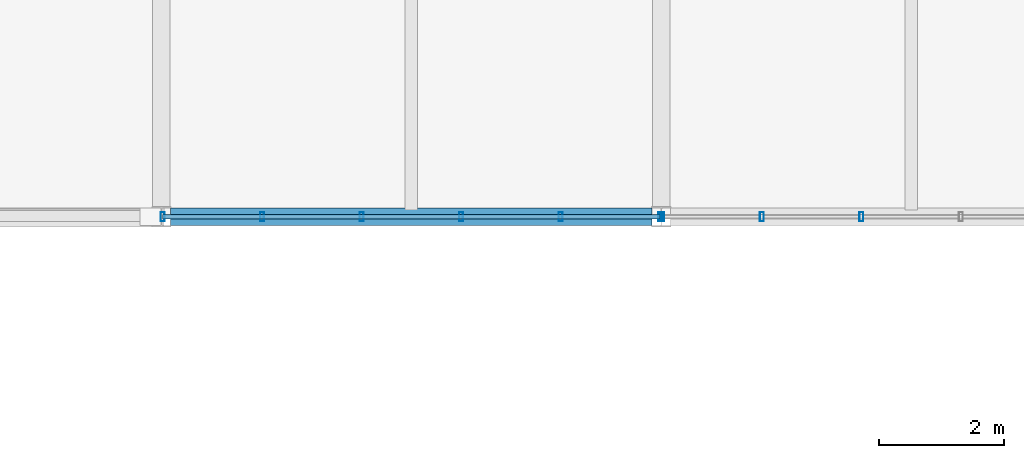
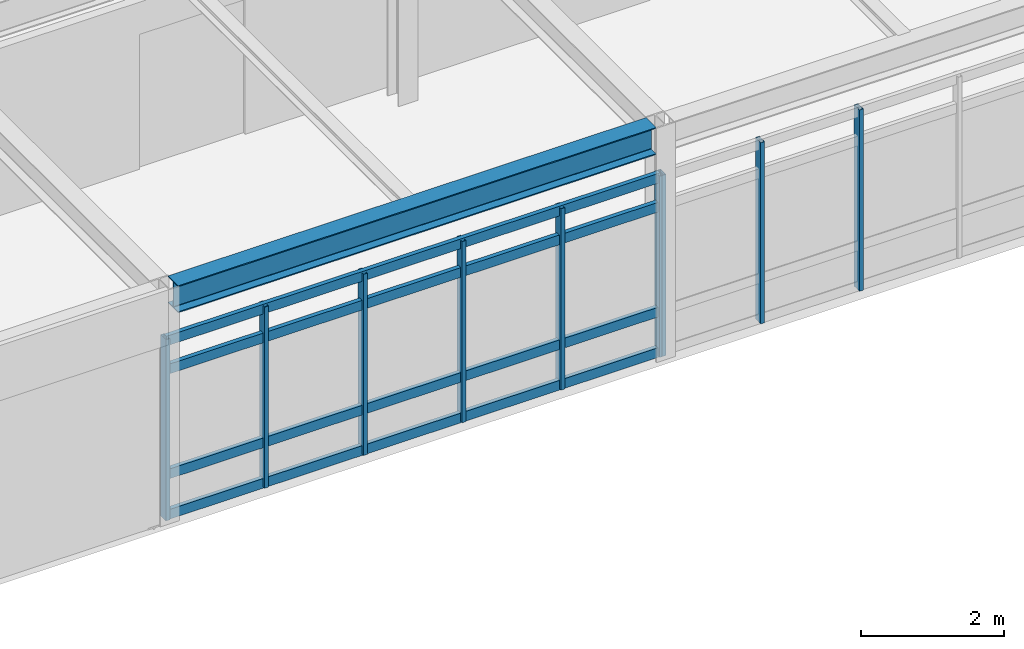
# One storey, part 32 of 85: 13 members, 1 beam, 2 elements without a shape of their own.
"""IFC4 building model written with IfcOpenShell, lengths in metres."""

from ifc_helpers import new_model, si_unit, direction, frame, origin, origin_2d, place, context, subcontext, project, spatial, hollow_rectangle, i_section, extrude, material, material_profile, profile_set, type_object, element, aggregate, save


model = new_model("IFC4")

# Units and contexts
model_context = context("Model", 3, precision=1e-05, world=origin(), true_north=direction((0.0, 1.0)))
body_context = subcontext(model_context, "Body", "Model", "MODEL_VIEW")
ifc_project = project(units=[si_unit("LENGTHUNIT", "METRE"), si_unit("AREAUNIT", "SQUARE_METRE"), si_unit("VOLUMEUNIT", "CUBIC_METRE"), si_unit("PLANEANGLEUNIT", "RADIAN"), si_unit("MASSUNIT", "GRAM", prefix="KILO")], contexts=[model_context])

# Site, building, storey
site_placement = place(None, origin())
site = spatial("IfcSite", under=ifc_project, at=site_placement, CompositionType="ELEMENT")
building_placement = place(site_placement, origin())
building = spatial("IfcBuilding", under=site, at=building_placement, Name="Zulena Civic Courthouse", CompositionType="ELEMENT")
storey_placement = place(building_placement, frame((0.0, 0.0, 25.199951171875)))
storey = spatial("IfcBuildingStorey", under=building, at=storey_placement, Name="L05", CompositionType="ELEMENT", Elevation=25.199951171875)

# Curtain wall, members
ifc_material_1 = material(Name="Double-silver low-E laminated solar-control glass", Category="glass")
curtain_wall_type = type_object("IfcCurtainWallType", Name="CW_7964x3090", PredefinedType="USERDEFINED", material=ifc_material_1)
curtain_wall_1_placement = place(storey_placement, origin())
curtain_wall_1 = element("IfcCurtainWall", 1, at=curtain_wall_1_placement, inside=storey, type_object=curtain_wall_type, Name="cw:V5:L05:5:5", ObjectType="UNITISED CURTAIN WALL", PredefinedType="USERDEFINED")
ifc_material_2 = material(Name="Bronze anodised thermally broken aluminium AA6063-T6", Category="aluminium")
ifc_material_profile_1 = material_profile(ifc_material_2, hollow_rectangle(XDim=0.06494140625, YDim=0.14990234375, WallThickness=0.00390625, at=origin_2d()), Name="CWM150X65X4")
ifc_profile_set_1 = profile_set([ifc_material_profile_1], Name="Bronze anodised thermally broken aluminium AA6063-T6")
member_type_1 = type_object("IfcMemberType", Name="CWMullion_150x65", PredefinedType="MULLION", material=ifc_profile_set_1)
member_1_placement = place(storey_placement, frame((55.20361328125, 46.0, 0.0), z_axis=(0.0, 0.0, 1.0), x_axis=(1.0, 0.0, 0.0)))
member_1 = element("IfcMember", 2, at=member_1_placement, type_object=member_type_1, Name="cw:V5:L05:5:5:mull:3", PredefinedType="MULLION", context=body_context, shape_type="SweptSolid", body=[
    extrude(hollow_rectangle(XDim=0.06494140625, YDim=0.14990234375, WallThickness=0.00390625, at=origin_2d()), origin(), (0.0, 0.0, 1.0), 3.090087890625),
])
member_2_placement = place(storey_placement, frame((53.61083984375, 46.0, 0.0), z_axis=(0.0, 0.0, 1.0), x_axis=(1.0, 0.0, 0.0)))
member_2 = element("IfcMember", 3, at=member_2_placement, type_object=member_type_1, Name="cw:V5:L05:5:5:mull:4", PredefinedType="MULLION", context=body_context, shape_type="SweptSolid", body=[
    extrude(hollow_rectangle(XDim=0.06494140625, YDim=0.14990234375, WallThickness=0.00390625, at=origin_2d()), origin(), (0.0, 0.0, 1.0), 3.090087890625),
])
member_3_placement = place(storey_placement, frame((52.01806640625, 46.0, 0.0), z_axis=(0.0, 0.0, 1.0), x_axis=(1.0, 0.0, 0.0)))
member_3 = element("IfcMember", 4, at=member_3_placement, type_object=member_type_1, Name="cw:V5:L05:5:5:mull:5", PredefinedType="MULLION", context=body_context, shape_type="SweptSolid", body=[
    extrude(hollow_rectangle(XDim=0.06494140625, YDim=0.14990234375, WallThickness=0.00390625, at=origin_2d()), origin(), (0.0, 0.0, 1.0), 3.090087890625),
])
aggregate(curtain_wall_1, [member_1, member_2, member_3])

curtain_wall_2_placement = place(storey_placement, origin())
curtain_wall_2 = element("IfcCurtainWall", 5, at=curtain_wall_2_placement, inside=storey, type_object=curtain_wall_type, Name="cw:V5:L05:5:6", ObjectType="UNITISED CURTAIN WALL", PredefinedType="USERDEFINED")
member_4_placement = place(storey_placement, frame((51.98193359375, 46.0, 0.0), z_axis=(0.0, 0.0, 1.0), x_axis=(1.0, 0.0, 0.0)))
member_4 = element("IfcMember", 6, at=member_4_placement, type_object=member_type_1, Name="cw:V5:L05:5:6:mull:0", PredefinedType="MULLION", context=body_context, shape_type="SweptSolid", body=[
    extrude(hollow_rectangle(XDim=0.06494140625, YDim=0.14990234375, WallThickness=0.00390625, at=origin_2d()), origin(), (0.0, 0.0, 1.0), 3.090087890625),
])
member_5_placement = place(storey_placement, frame((50.38916015625, 46.0, 0.0), z_axis=(0.0, 0.0, 1.0), x_axis=(1.0, 0.0, 0.0)))
member_5 = element("IfcMember", 7, at=member_5_placement, type_object=member_type_1, Name="cw:V5:L05:5:6:mull:1", PredefinedType="MULLION", context=body_context, shape_type="SweptSolid", body=[
    extrude(hollow_rectangle(XDim=0.06494140625, YDim=0.14990234375, WallThickness=0.00390625, at=origin_2d()), origin(), (0.0, 0.0, 1.0), 3.090087890625),
])
member_6_placement = place(storey_placement, frame((48.79638671875, 46.0, 0.0), z_axis=(0.0, 0.0, 1.0), x_axis=(1.0, 0.0, 0.0)))
member_6 = element("IfcMember", 8, at=member_6_placement, type_object=member_type_1, Name="cw:V5:L05:5:6:mull:2", PredefinedType="MULLION", context=body_context, shape_type="SweptSolid", body=[
    extrude(hollow_rectangle(XDim=0.06494140625, YDim=0.14990234375, WallThickness=0.00390625, at=origin_2d()), origin(), (0.0, 0.0, 1.0), 3.090087890625),
])
member_7_placement = place(storey_placement, frame((47.20361328125, 46.0, 0.0), z_axis=(0.0, 0.0, 1.0), x_axis=(1.0, 0.0, 0.0)))
member_7 = element("IfcMember", 9, at=member_7_placement, type_object=member_type_1, Name="cw:V5:L05:5:6:mull:3", PredefinedType="MULLION", context=body_context, shape_type="SweptSolid", body=[
    extrude(hollow_rectangle(XDim=0.06494140625, YDim=0.14990234375, WallThickness=0.00390625, at=origin_2d()), origin(), (0.0, 0.0, 1.0), 3.090087890625),
])
member_8_placement = place(storey_placement, frame((45.61083984375, 46.0, 0.0), z_axis=(0.0, 0.0, 1.0), x_axis=(1.0, 0.0, 0.0)))
member_8 = element("IfcMember", 10, at=member_8_placement, type_object=member_type_1, Name="cw:V5:L05:5:6:mull:4", PredefinedType="MULLION", context=body_context, shape_type="SweptSolid", body=[
    extrude(hollow_rectangle(XDim=0.06494140625, YDim=0.14990234375, WallThickness=0.00390625, at=origin_2d()), origin(), (0.0, 0.0, 1.0), 3.090087890625),
])
member_9_placement = place(storey_placement, frame((44.01806640625, 46.0, 0.0), z_axis=(0.0, 0.0, 1.0), x_axis=(1.0, 0.0, 0.0)))
member_9 = element("IfcMember", 11, at=member_9_placement, type_object=member_type_1, Name="cw:V5:L05:5:6:mull:5", PredefinedType="MULLION", context=body_context, shape_type="SweptSolid", body=[
    extrude(hollow_rectangle(XDim=0.06494140625, YDim=0.14990234375, WallThickness=0.00390625, at=origin_2d()), origin(), (0.0, 0.0, 1.0), 3.090087890625),
])
ifc_material_profile_2 = material_profile(ifc_material_2, hollow_rectangle(XDim=0.070068359375, YDim=0.1650390625, WallThickness=0.00390625, at=origin_2d()), Name="CWT165X70X4")
ifc_profile_set_2 = profile_set([ifc_material_profile_2], Name="Bronze anodised thermally broken aluminium AA6063-T6")
member_type_2 = type_object("IfcMemberType", Name="CWTransom_165x70", PredefinedType="USERDEFINED", material=ifc_profile_set_2)
member_10_placement = place(storey_placement, frame((51.98193359375, 46.0, 0.06005859375), z_axis=(-1.0, 0.0, 0.0), x_axis=(0.0, -1.0, 0.0)))
member_10 = element("IfcMember", 12, at=member_10_placement, type_object=member_type_2, Name="cw:V5:L05:5:6:tran:0", ObjectType="TRANSOM", PredefinedType="USERDEFINED", context=body_context, shape_type="SweptSolid", body=[
    extrude(hollow_rectangle(XDim=0.070068359375, YDim=0.1650390625, WallThickness=0.00390625, at=origin_2d()), origin(), (0.0, 0.0, 1.0), 7.9638671875),
])
member_11_placement = place(storey_placement, frame((51.98193359375, 46.0, 0.75), z_axis=(-1.0, 0.0, 0.0), x_axis=(0.0, -1.0, 0.0)))
member_11 = element("IfcMember", 13, at=member_11_placement, type_object=member_type_2, Name="cw:V5:L05:5:6:tran:1", ObjectType="TRANSOM", PredefinedType="USERDEFINED", context=body_context, shape_type="SweptSolid", body=[
    extrude(hollow_rectangle(XDim=0.070068359375, YDim=0.1650390625, WallThickness=0.00390625, at=origin_2d()), origin(), (0.0, 0.0, 1.0), 7.9638671875),
])
member_12_placement = place(storey_placement, frame((51.98193359375, 46.0, 2.5400390625), z_axis=(-1.0, 0.0, 0.0), x_axis=(0.0, -1.0, 0.0)))
member_12 = element("IfcMember", 14, at=member_12_placement, type_object=member_type_2, Name="cw:V5:L05:5:6:tran:2", ObjectType="TRANSOM", PredefinedType="USERDEFINED", context=body_context, shape_type="SweptSolid", body=[
    extrude(hollow_rectangle(XDim=0.070068359375, YDim=0.1650390625, WallThickness=0.00390625, at=origin_2d()), origin(), (0.0, 0.0, 1.0), 7.9638671875),
])
member_13_placement = place(storey_placement, frame((51.98193359375, 46.0, 3.030029296875), z_axis=(-1.0, 0.0, 0.0), x_axis=(0.0, -1.0, 0.0)))
member_13 = element("IfcMember", 15, at=member_13_placement, type_object=member_type_2, Name="cw:V5:L05:5:6:tran:3", ObjectType="TRANSOM", PredefinedType="USERDEFINED", context=body_context, shape_type="SweptSolid", body=[
    extrude(hollow_rectangle(XDim=0.070068359375, YDim=0.1650390625, WallThickness=0.00390625, at=origin_2d()), origin(), (0.0, 0.0, 1.0), 7.9638671875),
])
aggregate(curtain_wall_2, [member_4, member_5, member_6, member_7, member_8, member_9, member_10, member_11, member_12, member_13])

# Beam
ifc_material_3 = material(Name="Steel ASTM A992 Grade 50", Category="steel")
ifc_material_profile_3 = material_profile(ifc_material_3, i_section(OverallWidth=0.280029296875, OverallDepth=0.462890625, WebThickness=0.0107421875, FlangeThickness=0.017333984375, FilletRadius=0.01025390625, at=origin_2d()), Name="W18X76")
ifc_profile_set_3 = profile_set([ifc_material_profile_3], Name="Steel ASTM A992 Grade 50")
beam_type = type_object("IfcBeamType", Name="Spandrel_W18X76", PredefinedType="SPANDREL", material=ifc_profile_set_3)
beam_placement = place(storey_placement, frame((44.14501953125, 46.0, 3.763427734375), z_axis=(1.0, 0.0, 0.0), x_axis=(0.0, 1.0, 0.0)))
element("IfcBeam", 16, at=beam_placement, inside=storey, type_object=beam_type, Name="beam:X:V5:L05:46.0:44.0_52.0", PredefinedType="SPANDREL", context=body_context, shape_type="SweptSolid", body=[
    extrude(i_section(OverallWidth=0.280029296875, OverallDepth=0.462890625, WebThickness=0.0107421875, FlangeThickness=0.017333984375, FilletRadius=0.01025390625, at=origin_2d()), origin(), (0.0, 0.0, 1.0), 7.7099609375),
])

save(model, "model.ifc")
